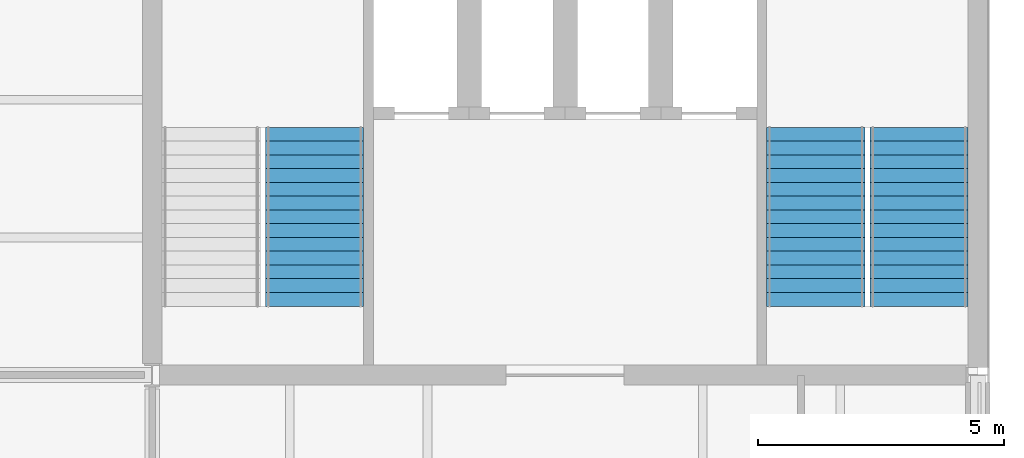
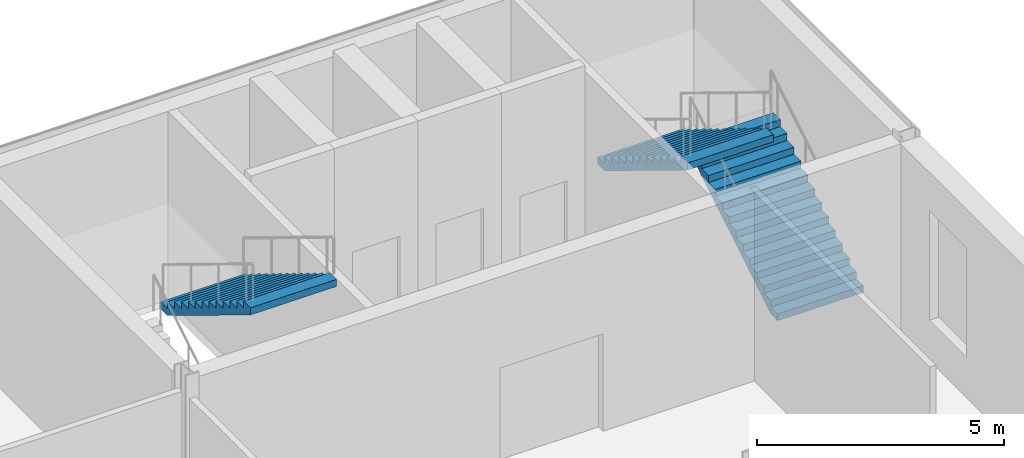
# One storey, part 36 of 52: 3 stair flights, 2 elements without a shape of their own.
"""IFC4 building model written with IfcOpenShell, lengths in metres."""

from ifc_helpers import new_model, si_unit, direction, frame, origin, place, context, subcontext, project, spatial, polyline, outline, extrude, material, type_object, element, aggregate, save


model = new_model("IFC4")

# Units and contexts
model_context = context("Model", 3, precision=1e-05, world=origin(), true_north=direction((0.0, 1.0)))
body_context = subcontext(model_context, "Body", "Model", "MODEL_VIEW")
ifc_project = project(units=[si_unit("LENGTHUNIT", "METRE"), si_unit("AREAUNIT", "SQUARE_METRE"), si_unit("VOLUMEUNIT", "CUBIC_METRE"), si_unit("PLANEANGLEUNIT", "RADIAN"), si_unit("MASSUNIT", "GRAM", prefix="KILO")], contexts=[model_context])

# Site, building, storey
site_placement = place(None, origin())
site = spatial("IfcSite", under=ifc_project, at=site_placement, CompositionType="ELEMENT")
building_placement = place(site_placement, origin())
building = spatial("IfcBuilding", under=site, at=building_placement, Name="Galleria Vessillo Department Store", CompositionType="ELEMENT")
storey_placement = place(building_placement, frame((0.0, 0.0, 16.199951171875)))
storey = spatial("IfcBuildingStorey", under=building, at=storey_placement, Name="L03", CompositionType="ELEMENT", Elevation=16.199951171875)

# Stair, stair flight
ifc_material_1 = material(Name="Concrete C32/40", Category="concrete")
stair_type = type_object("IfcStairType", Name="Half-turn escape stair 2000 mm, 28 risers of 171 mm", PredefinedType="HALF_TURN_STAIR", material=ifc_material_1)
stair_1_placement = place(storey_placement, origin())
stair_1 = element("IfcStair", 1, at=stair_1_placement, inside=storey, type_object=stair_type, Name="Stair ST8 L03", PredefinedType="HALF_TURN_STAIR")
ifc_material_2 = material(Name="Concrete C32/40", Category="concrete")
stair_flight_type = type_object("IfcStairFlightType", Name="Stair flight 2000 mm, 14 risers of 171 mm", PredefinedType="STRAIGHT", material=ifc_material_2)
stair_flight_1_placement = place(storey_placement, frame((104.10009765625, 59.639404296875, 2.400146484375), z_axis=(0.0, 0.0, 1.0), x_axis=(0.0, -1.0, 0.0)))
stair_flight_1 = element("IfcStairFlight", 2, at=stair_flight_1_placement, type_object=stair_flight_type, Name="ST8 flight 2", NumberOfRisers=14, NumberOfTreads=13, PredefinedType="STRAIGHT", RiserHeight=0.171428571, TreadLength=0.28, context=body_context, shape_type="SweptSolid", body=[
    extrude(outline(polyline([(0.0, 0.0), (0.0, 0.17138671875), (0.280029296875, 0.17138671875), (0.280029296875, 0.3427734375), (0.56005859375, 0.3427734375), (0.56005859375, 0.514404296875), (0.840087890625, 0.514404296875), (0.840087890625, 0.685791015625), (1.1201171875, 0.685791015625), (1.1201171875, 0.857177734375), (1.39990234375, 0.857177734375), (1.39990234375, 1.028564453125), (1.679931640625, 1.028564453125), (1.679931640625, 1.199951171875), (1.9599609375, 1.199951171875), (1.9599609375, 1.371337890625), (2.239990234375, 1.371337890625), (2.239990234375, 1.54296875), (2.52001953125, 1.54296875), (2.52001953125, 1.71435546875), (2.800048828125, 1.71435546875), (2.800048828125, 1.8857421875), (3.080078125, 1.8857421875), (3.080078125, 2.05712890625), (3.360107421875, 2.05712890625), (3.360107421875, 2.228515625), (3.639892578125, 2.228515625), (3.639892578125, 2.39990234375), (3.639892578125, 2.052734375), (0.287109375, 0.0), (0.0, 0.0)])), frame((0.0, 1.0, 0.0), z_axis=(0.0, -1.0, 0.0), x_axis=(1.0, 0.0, 0.0)), (0.0, 0.0, 1.0), 2.0),
])
aggregate(stair_1, [stair_flight_1])

# Stair, stair flights
stair_2_placement = place(storey_placement, origin())
stair_2 = element("IfcStair", 3, at=stair_2_placement, inside=storey, type_object=stair_type, Name="Stair ST9 L03", PredefinedType="HALF_TURN_STAIR")
stair_flight_2_placement = place(storey_placement, frame((116.39990234375, 55.99951171875, 0.0), z_axis=(0.0, 0.0, 1.0), x_axis=(0.0, 1.0, 0.0)))
stair_flight_2 = element("IfcStairFlight", 4, at=stair_flight_2_placement, type_object=stair_flight_type, Name="ST9 flight 1", NumberOfRisers=14, NumberOfTreads=13, PredefinedType="STRAIGHT", RiserHeight=0.171428571, TreadLength=0.28, context=body_context, shape_type="SweptSolid", body=[
    extrude(outline(polyline([(0.0, 0.0), (0.0, 0.17138671875), (0.280029296875, 0.17138671875), (0.280029296875, 0.3427734375), (0.56005859375, 0.3427734375), (0.56005859375, 0.514404296875), (0.840087890625, 0.514404296875), (0.840087890625, 0.685791015625), (1.1201171875, 0.685791015625), (1.1201171875, 0.857177734375), (1.39990234375, 0.857177734375), (1.39990234375, 1.028564453125), (1.679931640625, 1.028564453125), (1.679931640625, 1.199951171875), (1.9599609375, 1.199951171875), (1.9599609375, 1.371337890625), (2.239990234375, 1.371337890625), (2.239990234375, 1.54296875), (2.52001953125, 1.54296875), (2.52001953125, 1.71435546875), (2.800048828125, 1.71435546875), (2.800048828125, 1.8857421875), (3.080078125, 1.8857421875), (3.080078125, 2.05712890625), (3.360107421875, 2.05712890625), (3.360107421875, 2.228515625), (3.639892578125, 2.228515625), (3.639892578125, 2.39990234375), (3.639892578125, 2.052734375), (0.287109375, 0.0), (0.0, 0.0)])), frame((0.0, 1.0, 0.0), z_axis=(0.0, -1.0, 0.0), x_axis=(1.0, 0.0, 0.0)), (0.0, 0.0, 1.0), 2.0),
])
stair_flight_3_placement = place(storey_placement, frame((114.300048828125, 59.639404296875, 2.400146484375), z_axis=(0.0, 0.0, 1.0), x_axis=(0.0, -1.0, 0.0)))
stair_flight_3 = element("IfcStairFlight", 5, at=stair_flight_3_placement, type_object=stair_flight_type, Name="ST9 flight 2", NumberOfRisers=14, NumberOfTreads=13, PredefinedType="STRAIGHT", RiserHeight=0.171428571, TreadLength=0.28, context=body_context, shape_type="SweptSolid", body=[
    extrude(outline(polyline([(0.0, 0.0), (0.0, 0.17138671875), (0.280029296875, 0.17138671875), (0.280029296875, 0.3427734375), (0.56005859375, 0.3427734375), (0.56005859375, 0.514404296875), (0.840087890625, 0.514404296875), (0.840087890625, 0.685791015625), (1.1201171875, 0.685791015625), (1.1201171875, 0.857177734375), (1.39990234375, 0.857177734375), (1.39990234375, 1.028564453125), (1.679931640625, 1.028564453125), (1.679931640625, 1.199951171875), (1.9599609375, 1.199951171875), (1.9599609375, 1.371337890625), (2.239990234375, 1.371337890625), (2.239990234375, 1.54296875), (2.52001953125, 1.54296875), (2.52001953125, 1.71435546875), (2.800048828125, 1.71435546875), (2.800048828125, 1.8857421875), (3.080078125, 1.8857421875), (3.080078125, 2.05712890625), (3.360107421875, 2.05712890625), (3.360107421875, 2.228515625), (3.639892578125, 2.228515625), (3.639892578125, 2.39990234375), (3.639892578125, 2.052734375), (0.287109375, 0.0), (0.0, 0.0)])), frame((0.0, 1.0, 0.0), z_axis=(0.0, -1.0, 0.0), x_axis=(1.0, 0.0, 0.0)), (0.0, 0.0, 1.0), 2.0),
])
aggregate(stair_2, [stair_flight_2, stair_flight_3])

save(model, "model.ifc")
